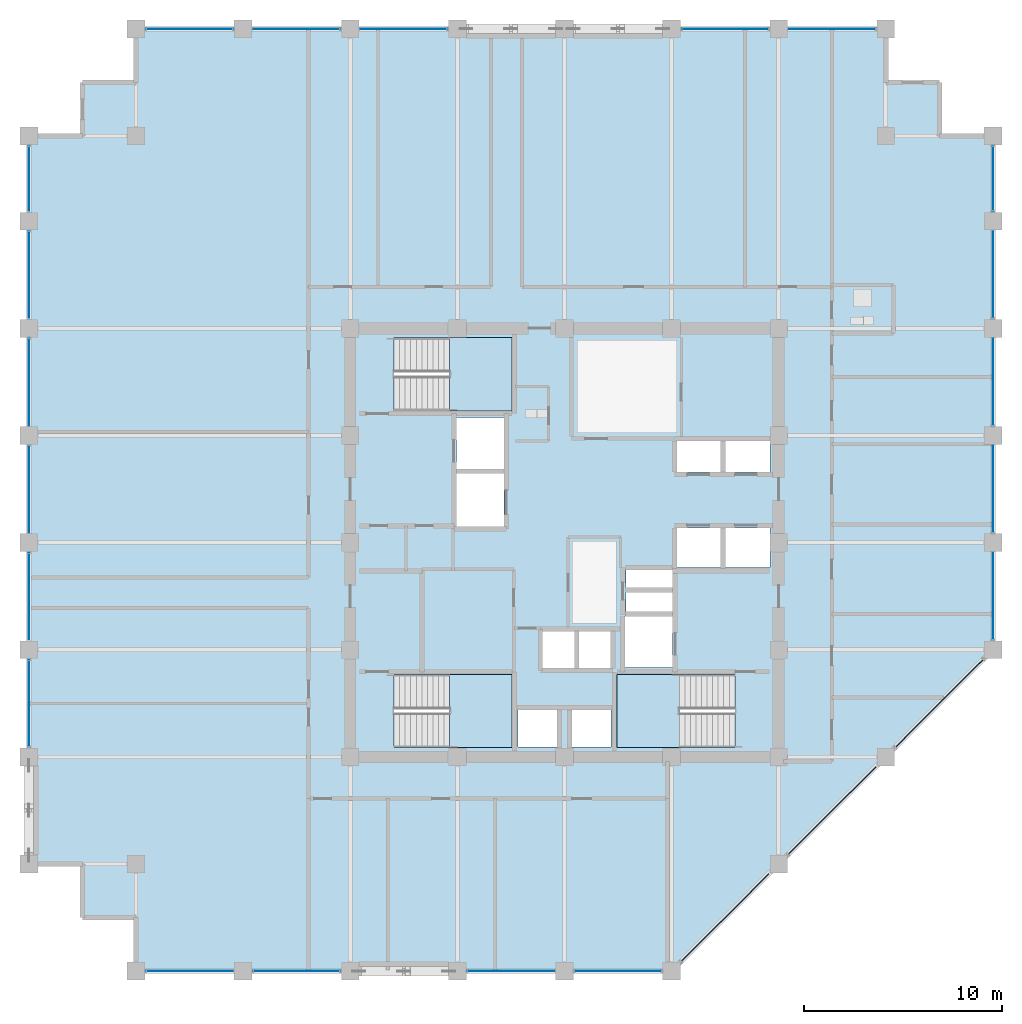
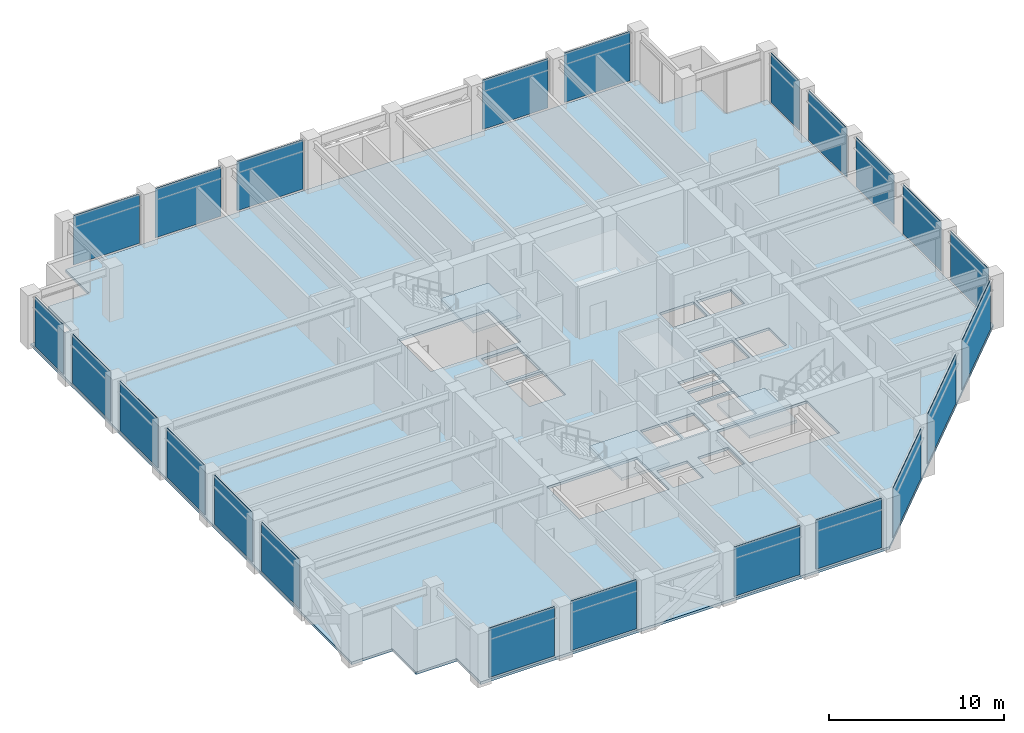
# One storey, part 26 of 32: 23 plates, 4 slabs, 10 elements without a shape of their own.
"""IFC4 building model written with IfcOpenShell, lengths in metres."""

import ifcopenshell
import ifcopenshell.guid

model = None  # the IFC model being written
_history = None  # IfcOwnerHistory: only IFC2X3 demands one
_inside = {}  # id of a spatial element -> (the spatial element, [elements in it])
_under = {}  # id of a project, library or spatial element -> (it, [spatial elements below it])
_declared = {}  # id of a project -> (the project, [libraries it declares])
_typed = {}  # id of a type object -> (the type object, [elements of that type])
_made_of = {}  # id of a material, layer set ... -> (it, [elements and type objects made of it])


def new_model(schema):
    """Start an empty IFC model of exactly this schema.

    Asked for "IFC4X3", IfcOpenShell would pick the latest addendum, in which some entities
    have other attributes; the version numbers below select the first issue.
    IFC2X3 requires an IfcOwnerHistory on every rooted entity: one is made here for all.
    """
    global model, _history
    if schema == "IFC4X3":
        model = ifcopenshell.file(schema_version=(4, 3, 0, 0))
    else:
        model = ifcopenshell.file(schema=schema)
    _inside.clear()
    _under.clear()
    _declared.clear()
    _typed.clear()
    _made_of.clear()
    _history = None
    if model.schema == "IFC2X3":
        org = make("IfcOrganization", Name="unknown")
        user = make(
            "IfcPersonAndOrganization",
            ThePerson=make("IfcPerson", FamilyName="unknown"),
            TheOrganization=org,
        )
        app = make(
            "IfcApplication",
            ApplicationDeveloper=org,
            Version="unknown",
            ApplicationFullName="unknown",
            ApplicationIdentifier="unknown",
        )
        _history = make(
            "IfcOwnerHistory",
            OwningUser=user,
            OwningApplication=app,
            ChangeAction="ADDED",
            CreationDate=0,
        )
    return model


def make(cls, **values):
    """One entity of the class cls with the attributes given. An attribute that is None is left unset."""
    return model.create_entity(
        cls, **{name: value for name, value in values.items() if value is not None}
    )


def rooted(cls, **values):
    """An entity with a GlobalId (a new one), such as an element, a storey or a relation."""
    return make(cls, GlobalId=ifcopenshell.guid.new(), OwnerHistory=_history, **values)


def si_unit(unit_type, name, prefix=None):
    """IfcSIUnit, for example si_unit("LENGTHUNIT", "METRE", prefix="MILLI")."""
    return make("IfcSIUnit", UnitType=unit_type, Prefix=prefix, Name=name)


def assignment(units):
    """IfcUnitAssignment: the units of a project."""
    return None if units is None else make("IfcUnitAssignment", Units=units)


def point(xyz):
    """IfcCartesianPoint."""
    return None if xyz is None else make("IfcCartesianPoint", Coordinates=xyz)


def direction(xyz):
    """IfcDirection."""
    return None if xyz is None else make("IfcDirection", DirectionRatios=xyz)


def frame(location, z_axis=None, x_axis=None):
    """IfcAxis2Placement3D, a coordinate frame: its origin and axes. An axis left out is left unset."""
    return make(
        "IfcAxis2Placement3D",
        Location=point(location),
        Axis=direction(z_axis),
        RefDirection=direction(x_axis),
    )


def frame_2d(location, x_axis=None):
    """IfcAxis2Placement2D, a coordinate frame in the plane: its origin and x axis."""
    return make(
        "IfcAxis2Placement2D", Location=point(location), RefDirection=direction(x_axis)
    )


def origin():
    """The frame at (0, 0, 0) with its axes left unset."""
    return frame((0.0, 0.0, 0.0))


def place(relative_to, where):
    """IfcLocalPlacement: puts the frame where relative to a parent placement (None: the world)."""
    return make(
        "IfcLocalPlacement", PlacementRelTo=relative_to, RelativePlacement=where
    )


def context(
    kind, dimensions, precision=None, world=None, true_north=None, identifier=None
):
    """IfcGeometricRepresentationContext, for example the 3D "Model" context."""
    return make(
        "IfcGeometricRepresentationContext",
        ContextIdentifier=identifier,
        ContextType=kind,
        CoordinateSpaceDimension=dimensions,
        Precision=precision,
        WorldCoordinateSystem=world,
        TrueNorth=true_north,
    )


def subcontext(parent, identifier, kind, view, scale=None):
    """IfcGeometricRepresentationSubContext, for example "Body" below "Model"."""
    return make(
        "IfcGeometricRepresentationSubContext",
        ContextIdentifier=identifier,
        ContextType=kind,
        ParentContext=parent,
        TargetScale=scale,
        TargetView=view,
    )


def project(units=None, contexts=None):
    """IfcProject with its units and contexts."""
    return rooted(
        "IfcProject",
        Name="project",
        RepresentationContexts=contexts,
        UnitsInContext=assignment(units),
    )


def spatial(cls, under=None, at=None, **own):
    """A site, building, storey or space (cls), placed at a placement, below another one or the project."""
    s = rooted(cls, ObjectPlacement=at, **own)
    if under is not None:
        _under.setdefault(under.id(), (under, []))[1].append(s)
    return s


def polyline(points):
    """IfcPolyline through the points."""
    return make("IfcPolyline", Points=[point(p) for p in points])


def profile(cls, at=None, kind="AREA", **sizes):
    """A parametric profile (cls). Its sizes go by their IFC names, for example OverallWidth=200.0."""
    return make(cls, ProfileType=kind, Position=at, **sizes)


def rectangle(**sizes):
    """IfcRectangleProfileDef."""
    return profile("IfcRectangleProfileDef", **sizes)


def outline(outer, holes=None, kind="AREA"):
    """IfcArbitraryClosedProfileDef: a profile drawn as a closed curve; with holes, ...WithVoids."""
    if holes is None:
        return make("IfcArbitraryClosedProfileDef", ProfileType=kind, OuterCurve=outer)
    return make(
        "IfcArbitraryProfileDefWithVoids",
        ProfileType=kind,
        OuterCurve=outer,
        InnerCurves=holes,
    )


def extrude(swept, where, along, depth):
    """IfcExtrudedAreaSolid: the profile swept, set in the frame where, extruded along a direction by depth."""
    return make(
        "IfcExtrudedAreaSolid",
        SweptArea=swept,
        Position=where,
        ExtrudedDirection=direction(along),
        Depth=depth,
    )


def shape(context_of_items, identifier, shape_type, items):
    """IfcShapeRepresentation: the items that make up one representation, for example the "Body"."""
    return make(
        "IfcShapeRepresentation",
        ContextOfItems=context_of_items,
        RepresentationIdentifier=identifier,
        RepresentationType=shape_type,
        Items=items,
    )


def material(Name=None, Category=None):
    """IfcMaterial."""
    return make("IfcMaterial", Name=Name, Category=Category)


def layer(
    of_material, thickness, ventilated=None, Name=None, Category=None, Priority=None
):
    """IfcMaterialLayer: one layer of a wall or slab, of a material (None: an air gap)."""
    return make(
        "IfcMaterialLayer",
        Material=of_material,
        LayerThickness=thickness,
        IsVentilated=ventilated,
        Name=Name,
        Category=Category,
        Priority=Priority,
    )


def layer_set(layers, Name=None):
    """IfcMaterialLayerSet."""
    return make("IfcMaterialLayerSet", MaterialLayers=layers, LayerSetName=Name)


def made_of(thing, what):
    """Note that an element or type object is made of a material, layer set ...; save() writes the relation."""
    if what is not None:
        _made_of.setdefault(what.id(), (what, []))[1].append(thing)
    return thing


def type_object(cls, material=None, **own):
    """A type object (cls), such as IfcWallType, which elements share."""
    return made_of(rooted(cls, **own), material)


def element(
    cls,
    number,
    at=None,
    inside=None,
    cuts=None,
    type_object=None,
    material=None,
    context=None,
    identifier="Body",
    shape_type=None,
    held_by="IfcProductDefinitionShape",
    body=None,
    shapes=None,
    **own,
):
    """One element of the class cls, such as IfcWall. Its Tag is "e" and its number.

    at: its placement. inside: the storey or other place that contains it. cuts: it is an
    opening in that element (IfcRelVoidsElement). A single representation is given by context,
    identifier, shape_type and body (its items); several are given by shapes. held_by: the class
    of the entity that holds the representations. save() writes the other relations.
    """
    e = rooted(cls, Tag="e%d" % number, ObjectPlacement=at, **own)
    if body is not None:
        shapes = [shape(context, identifier, shape_type, body)]
    if shapes is not None:
        e.Representation = make(held_by, Representations=shapes)
    if inside is not None:
        _inside.setdefault(inside.id(), (inside, []))[1].append(e)
    if cuts is not None:
        rooted(
            "IfcRelVoidsElement", RelatingBuildingElement=cuts, RelatedOpeningElement=e
        )
    if type_object is not None:
        _typed.setdefault(type_object.id(), (type_object, []))[1].append(e)
    return made_of(e, material)


def aggregate(whole, parts):
    """IfcRelAggregates: a whole, such as a stair, and the parts it consists of."""
    return rooted("IfcRelAggregates", RelatingObject=whole, RelatedObjects=parts)


def save(model, path):
    """Write the relations noted so far, then the file.

    IfcRelAggregates (storeys below a building ...), IfcRelContainedInSpatialStructure (elements
    in a storey), IfcRelDefinesByType, IfcRelAssociatesMaterial and IfcRelDeclares: one each for
    every whole, place, type object, material and project.
    """
    for whole, parts in _under.values():
        aggregate(whole, parts)
    for where, things in _inside.values():
        rooted(
            "IfcRelContainedInSpatialStructure",
            RelatedElements=things,
            RelatingStructure=where,
        )
    for kind, things in _typed.values():
        rooted("IfcRelDefinesByType", RelatedObjects=things, RelatingType=kind)
    for what, things in _made_of.values():
        rooted("IfcRelAssociatesMaterial", RelatedObjects=things, RelatingMaterial=what)
    for by, libraries in _declared.values():
        rooted("IfcRelDeclares", RelatingContext=by, RelatedDefinitions=libraries)
    model.write(path)


model = new_model("IFC4")

# Units and contexts
model_context = context("Model", 3, precision=1e-05, world=origin(), true_north=direction((0.0, 1.0)))
body_context = subcontext(model_context, "Body", "Model", "MODEL_VIEW")
ifc_project = project(units=[si_unit("LENGTHUNIT", "METRE"), si_unit("AREAUNIT", "SQUARE_METRE"), si_unit("VOLUMEUNIT", "CUBIC_METRE"), si_unit("PLANEANGLEUNIT", "RADIAN"), si_unit("MASSUNIT", "GRAM", prefix="KILO")], contexts=[model_context])

# Site, building, storey
site_placement = place(None, origin())
site = spatial("IfcSite", under=ifc_project, at=site_placement, CompositionType="ELEMENT")
building_placement = place(site_placement, origin())
building = spatial("IfcBuilding", under=site, at=building_placement, Name="Surkhivell Harbour Commons", CompositionType="ELEMENT")
storey_placement = place(building_placement, frame((0.0, 0.0, 204.75)))
storey = spatial("IfcBuildingStorey", under=building, at=storey_placement, Name="L53", CompositionType="ELEMENT", Elevation=204.75)

# Curtain wall, plates
ifc_material_1 = material(Name="Anodised pale-metal aluminium and insulated glazing", Category="aluminium")
ifc_layer_1 = layer(ifc_material_1, 0.18994140625)
ifc_layer_set_1 = layer_set([ifc_layer_1], Name="Anodised pale-metal aluminium and insulated glazing")
curtain_wall_type = type_object("IfcCurtainWallType", Name="CW-SYS-Z3", PredefinedType="NOTDEFINED", material=ifc_layer_set_1)
curtain_wall_1_placement = place(storey_placement, origin())
curtain_wall_1 = element("IfcCurtainWall", 1, at=curtain_wall_1_placement, inside=storey, type_object=curtain_wall_type, Name="L53 Curtain Wall CW-L53-E00S1", PredefinedType="NOTDEFINED")
ifc_material_2 = material(Name="High-pressure typhoon laminated vision glass", Category="glass")
ifc_layer_2 = layer(ifc_material_2, 0.035888671875)
ifc_layer_set_2 = layer_set([ifc_layer_2], Name="High-pressure typhoon laminated vision glass")
plate_type = type_object("IfcPlateType", Name="CWP-GLZ-36", PredefinedType="CURTAIN_PANEL", material=ifc_layer_set_2)
plate_1_placement = place(storey_placement, frame((-21.072998046875, -21.60009765625, 0.1298828125), z_axis=(0.0, 0.0, 1.0), x_axis=(1.0, 0.0, 0.0)))
plate_1 = element("IfcPlate", 2, at=plate_1_placement, type_object=plate_type, Name="CW-Z3 panel 1.1", PredefinedType="CURTAIN_PANEL", context=body_context, shape_type="SweptSolid", body=[
    extrude(rectangle(XDim=4.345947265625, YDim=0.035888671875, at=frame_2d((2.1728515625, 0.0))), origin(), (0.0, 0.0, 1.0), 3.440185546875),
])
plate_2_placement = place(storey_placement, frame((-15.673095703125, -21.60009765625, 0.1298828125), z_axis=(0.0, 0.0, 1.0), x_axis=(1.0, 0.0, 0.0)))
plate_2 = element("IfcPlate", 3, at=plate_2_placement, type_object=plate_type, Name="CW-Z3 panel 2.1", PredefinedType="CURTAIN_PANEL", context=body_context, shape_type="SweptSolid", body=[
    extrude(rectangle(XDim=4.34619140625, YDim=0.035888671875, at=frame_2d((2.173095703125, 0.0))), origin(), (0.0, 0.0, 1.0), 3.440185546875),
])
aggregate(curtain_wall_1, [plate_1, plate_2])

curtain_wall_2_placement = place(storey_placement, origin())
curtain_wall_2 = element("IfcCurtainWall", 4, at=curtain_wall_2_placement, inside=storey, type_object=curtain_wall_type, Name="L53 Curtain Wall CW-L53-E00S2", PredefinedType="NOTDEFINED")
plate_3_placement = place(storey_placement, frame((-4.873046875, -21.60009765625, 0.1298828125), z_axis=(0.0, 0.0, 1.0), x_axis=(1.0, 0.0, 0.0)))
plate_3 = element("IfcPlate", 5, at=plate_3_placement, type_object=plate_type, Name="CW-Z3 panel 1.1", PredefinedType="CURTAIN_PANEL", context=body_context, shape_type="SweptSolid", body=[
    extrude(rectangle(XDim=4.345947265625, YDim=0.035888671875, at=frame_2d((2.1728515625, 0.0))), origin(), (0.0, 0.0, 1.0), 3.440185546875),
])
plate_4_placement = place(storey_placement, frame((0.527099609375, -21.60009765625, 0.1298828125), z_axis=(0.0, 0.0, 1.0), x_axis=(1.0, 0.0, 0.0)))
plate_4 = element("IfcPlate", 6, at=plate_4_placement, type_object=plate_type, Name="CW-Z3 panel 2.1", PredefinedType="CURTAIN_PANEL", context=body_context, shape_type="SweptSolid", body=[
    extrude(rectangle(XDim=4.345947265625, YDim=0.035888671875, at=frame_2d((2.1728515625, 0.0))), origin(), (0.0, 0.0, 1.0), 3.440185546875),
])
aggregate(curtain_wall_2, [plate_3, plate_4])

curtain_wall_3_placement = place(storey_placement, origin())
curtain_wall_3 = element("IfcCurtainWall", 7, at=curtain_wall_3_placement, inside=storey, type_object=curtain_wall_type, Name="L53 Curtain Wall CW-L53-E01", PredefinedType="NOTDEFINED")
plate_5_placement = place(storey_placement, frame((5.90478515625, -21.09521484375, 0.1298828125), z_axis=(0.0, 0.0, 1.0), x_axis=(0.707106781187, 0.707106781187, 0.0)))
plate_5 = element("IfcPlate", 8, at=plate_5_placement, type_object=plate_type, Name="CW-Z3 panel 1.1", PredefinedType="CURTAIN_PANEL", context=body_context, shape_type="SweptSolid", body=[
    extrude(rectangle(XDim=6.209228515625, YDim=0.035888671875, at=frame_2d((3.1044921875, 0.0))), origin(), (0.0, 0.0, 1.0), 3.440185546875),
])
plate_6_placement = place(storey_placement, frame((11.3046875, -15.6953125, 0.1298828125), z_axis=(0.0, 0.0, 1.0), x_axis=(0.707106781187, 0.707106781187, 0.0)))
plate_6 = element("IfcPlate", 9, at=plate_6_placement, type_object=plate_type, Name="CW-Z3 panel 2.1", PredefinedType="CURTAIN_PANEL", context=body_context, shape_type="SweptSolid", body=[
    extrude(rectangle(XDim=6.209228515625, YDim=0.035888671875, at=frame_2d((3.1044921875, 0.0))), origin(), (0.0, 0.0, 1.0), 3.440185546875),
])
plate_7_placement = place(storey_placement, frame((16.70458984375, -10.29541015625, 0.1298828125), z_axis=(0.0, 0.0, 1.0), x_axis=(0.707106781187, 0.707106781187, 0.0)))
plate_7 = element("IfcPlate", 10, at=plate_7_placement, type_object=plate_type, Name="CW-Z3 panel 3.1", PredefinedType="CURTAIN_PANEL", context=body_context, shape_type="SweptSolid", body=[
    extrude(rectangle(XDim=6.209228515625, YDim=0.035888671875, at=frame_2d((3.1044921875, 0.0))), origin(), (0.0, 0.0, 1.0), 3.440185546875),
])
aggregate(curtain_wall_3, [plate_5, plate_6, plate_7])

curtain_wall_4_placement = place(storey_placement, origin())
curtain_wall_4 = element("IfcCurtainWall", 11, at=curtain_wall_4_placement, inside=storey, type_object=curtain_wall_type, Name="L53 Curtain Wall CW-L53-E02", PredefinedType="NOTDEFINED")
plate_8_placement = place(storey_placement, frame((21.60009765625, -4.873046875, 0.1298828125), z_axis=(0.0, 0.0, 1.0), x_axis=(0.0, 1.0, 0.0)))
plate_8 = element("IfcPlate", 12, at=plate_8_placement, type_object=plate_type, Name="CW-Z3 panel 1.1", PredefinedType="CURTAIN_PANEL", context=body_context, shape_type="SweptSolid", body=[
    extrude(rectangle(XDim=4.345947265625, YDim=0.035888671875, at=frame_2d((2.1728515625, 0.0))), origin(), (0.0, 0.0, 1.0), 3.440185546875),
])
plate_9_placement = place(storey_placement, frame((21.60009765625, 0.527099609375, 0.1298828125), z_axis=(0.0, 0.0, 1.0), x_axis=(0.0, 1.0, 0.0)))
plate_9 = element("IfcPlate", 13, at=plate_9_placement, type_object=plate_type, Name="CW-Z3 panel 2.1", PredefinedType="CURTAIN_PANEL", context=body_context, shape_type="SweptSolid", body=[
    extrude(rectangle(XDim=4.345947265625, YDim=0.035888671875, at=frame_2d((2.1728515625, 0.0))), origin(), (0.0, 0.0, 1.0), 3.440185546875),
])
plate_10_placement = place(storey_placement, frame((21.60009765625, 5.927001953125, 0.1298828125), z_axis=(0.0, 0.0, 1.0), x_axis=(0.0, 1.0, 0.0)))
plate_10 = element("IfcPlate", 14, at=plate_10_placement, type_object=plate_type, Name="CW-Z3 panel 3.1", PredefinedType="CURTAIN_PANEL", context=body_context, shape_type="SweptSolid", body=[
    extrude(rectangle(XDim=4.345947265625, YDim=0.035888671875, at=frame_2d((2.1728515625, 0.0))), origin(), (0.0, 0.0, 1.0), 3.440185546875),
])
plate_11_placement = place(storey_placement, frame((21.60009765625, 11.326904296875, 0.1298828125), z_axis=(0.0, 0.0, 1.0), x_axis=(0.0, 1.0, 0.0)))
plate_11 = element("IfcPlate", 15, at=plate_11_placement, type_object=plate_type, Name="CW-Z3 panel 4.1", PredefinedType="CURTAIN_PANEL", context=body_context, shape_type="SweptSolid", body=[
    extrude(rectangle(XDim=4.34619140625, YDim=0.035888671875, at=frame_2d((2.173095703125, 0.0))), origin(), (0.0, 0.0, 1.0), 3.440185546875),
])
plate_12_placement = place(storey_placement, frame((21.60009765625, 16.72705078125, 0.1298828125), z_axis=(0.0, 0.0, 1.0), x_axis=(0.0, 1.0, 0.0)))
plate_12 = element("IfcPlate", 16, at=plate_12_placement, type_object=plate_type, Name="CW-Z3 panel 5.1", PredefinedType="CURTAIN_PANEL", context=body_context, shape_type="SweptSolid", body=[
    extrude(rectangle(XDim=3.245849609375, YDim=0.035888671875, at=frame_2d((1.623046875, 0.0))), origin(), (0.0, 0.0, 1.0), 3.440185546875),
])
aggregate(curtain_wall_4, [plate_8, plate_9, plate_10, plate_11, plate_12])

curtain_wall_5_placement = place(storey_placement, origin())
curtain_wall_5 = element("IfcCurtainWall", 17, at=curtain_wall_5_placement, inside=storey, type_object=curtain_wall_type, Name="L53 Curtain Wall CW-L53-E07S1", PredefinedType="NOTDEFINED")
plate_13_placement = place(storey_placement, frame((15.673095703125, 25.89990234375, 0.1298828125), z_axis=(0.0, 0.0, 1.0), x_axis=(-1.0, 0.0, 0.0)))
plate_13 = element("IfcPlate", 18, at=plate_13_placement, type_object=plate_type, Name="CW-Z3 panel 1.1", PredefinedType="CURTAIN_PANEL", context=body_context, shape_type="SweptSolid", body=[
    extrude(rectangle(XDim=4.34619140625, YDim=0.035888671875, at=frame_2d((2.173095703125, 0.0))), origin(), (0.0, 0.0, 1.0), 3.440185546875),
])
plate_14_placement = place(storey_placement, frame((10.27294921875, 25.89990234375, 0.1298828125), z_axis=(0.0, 0.0, 1.0), x_axis=(-1.0, 0.0, 0.0)))
plate_14 = element("IfcPlate", 19, at=plate_14_placement, type_object=plate_type, Name="CW-Z3 panel 2.1", PredefinedType="CURTAIN_PANEL", context=body_context, shape_type="SweptSolid", body=[
    extrude(rectangle(XDim=4.345947265625, YDim=0.035888671875, at=frame_2d((2.1728515625, 0.0))), origin(), (0.0, 0.0, 1.0), 3.440185546875),
])
aggregate(curtain_wall_5, [plate_13, plate_14])

curtain_wall_6_placement = place(storey_placement, origin())
curtain_wall_6 = element("IfcCurtainWall", 20, at=curtain_wall_6_placement, inside=storey, type_object=curtain_wall_type, Name="L53 Curtain Wall CW-L53-E07S2", PredefinedType="NOTDEFINED")
plate_15_placement = place(storey_placement, frame((-5.927001953125, 25.89990234375, 0.1298828125), z_axis=(0.0, 0.0, 1.0), x_axis=(-1.0, 0.0, 0.0)))
plate_15 = element("IfcPlate", 21, at=plate_15_placement, type_object=plate_type, Name="CW-Z3 panel 1.1", PredefinedType="CURTAIN_PANEL", context=body_context, shape_type="SweptSolid", body=[
    extrude(rectangle(XDim=4.345947265625, YDim=0.035888671875, at=frame_2d((2.1728515625, 0.0))), origin(), (0.0, 0.0, 1.0), 3.440185546875),
])
plate_16_placement = place(storey_placement, frame((-11.326904296875, 25.89990234375, 0.1298828125), z_axis=(0.0, 0.0, 1.0), x_axis=(-1.0, 0.0, 0.0)))
plate_16 = element("IfcPlate", 22, at=plate_16_placement, type_object=plate_type, Name="CW-Z3 panel 2.1", PredefinedType="CURTAIN_PANEL", context=body_context, shape_type="SweptSolid", body=[
    extrude(rectangle(XDim=4.34619140625, YDim=0.035888671875, at=frame_2d((2.173095703125, 0.0))), origin(), (0.0, 0.0, 1.0), 3.440185546875),
])
plate_17_placement = place(storey_placement, frame((-16.72705078125, 25.89990234375, 0.1298828125), z_axis=(0.0, 0.0, 1.0), x_axis=(-1.0, 0.0, 0.0)))
plate_17 = element("IfcPlate", 23, at=plate_17_placement, type_object=plate_type, Name="CW-Z3 panel 3.1", PredefinedType="CURTAIN_PANEL", context=body_context, shape_type="SweptSolid", body=[
    extrude(rectangle(XDim=4.345947265625, YDim=0.035888671875, at=frame_2d((2.1728515625, 0.0))), origin(), (0.0, 0.0, 1.0), 3.440185546875),
])
aggregate(curtain_wall_6, [plate_15, plate_16, plate_17])

curtain_wall_7_placement = place(storey_placement, origin())
curtain_wall_7 = element("IfcCurtainWall", 24, at=curtain_wall_7_placement, inside=storey, type_object=curtain_wall_type, Name="L53 Curtain Wall CW-L53-E12S1", PredefinedType="NOTDEFINED")
plate_18_placement = place(storey_placement, frame((-27.0, 19.972900390625, 0.1298828125), z_axis=(0.0, 0.0, 1.0), x_axis=(0.0, -1.0, 0.0)))
plate_18 = element("IfcPlate", 25, at=plate_18_placement, type_object=plate_type, Name="CW-Z3 panel 1.1", PredefinedType="CURTAIN_PANEL", context=body_context, shape_type="SweptSolid", body=[
    extrude(rectangle(XDim=3.245849609375, YDim=0.035888671875, at=frame_2d((1.623046875, 0.0))), origin(), (0.0, 0.0, 1.0), 3.440185546875),
])
plate_19_placement = place(storey_placement, frame((-27.0, 15.673095703125, 0.1298828125), z_axis=(0.0, 0.0, 1.0), x_axis=(0.0, -1.0, 0.0)))
plate_19 = element("IfcPlate", 26, at=plate_19_placement, type_object=plate_type, Name="CW-Z3 panel 2.1", PredefinedType="CURTAIN_PANEL", context=body_context, shape_type="SweptSolid", body=[
    extrude(rectangle(XDim=4.34619140625, YDim=0.035888671875, at=frame_2d((2.173095703125, 0.0))), origin(), (0.0, 0.0, 1.0), 3.440185546875),
])
plate_20_placement = place(storey_placement, frame((-27.0, 10.27294921875, 0.1298828125), z_axis=(0.0, 0.0, 1.0), x_axis=(0.0, -1.0, 0.0)))
plate_20 = element("IfcPlate", 27, at=plate_20_placement, type_object=plate_type, Name="CW-Z3 panel 3.1", PredefinedType="CURTAIN_PANEL", context=body_context, shape_type="SweptSolid", body=[
    extrude(rectangle(XDim=4.345947265625, YDim=0.035888671875, at=frame_2d((2.1728515625, 0.0))), origin(), (0.0, 0.0, 1.0), 3.440185546875),
])
plate_21_placement = place(storey_placement, frame((-27.0, 4.873046875, 0.1298828125), z_axis=(0.0, 0.0, 1.0), x_axis=(0.0, -1.0, 0.0)))
plate_21 = element("IfcPlate", 28, at=plate_21_placement, type_object=plate_type, Name="CW-Z3 panel 4.1", PredefinedType="CURTAIN_PANEL", context=body_context, shape_type="SweptSolid", body=[
    extrude(rectangle(XDim=4.345947265625, YDim=0.035888671875, at=frame_2d((2.1728515625, 0.0))), origin(), (0.0, 0.0, 1.0), 3.440185546875),
])
plate_22_placement = place(storey_placement, frame((-27.0, -0.527099609375, 0.1298828125), z_axis=(0.0, 0.0, 1.0), x_axis=(0.0, -1.0, 0.0)))
plate_22 = element("IfcPlate", 29, at=plate_22_placement, type_object=plate_type, Name="CW-Z3 panel 5.1", PredefinedType="CURTAIN_PANEL", context=body_context, shape_type="SweptSolid", body=[
    extrude(rectangle(XDim=4.345947265625, YDim=0.035888671875, at=frame_2d((2.1728515625, 0.0))), origin(), (0.0, 0.0, 1.0), 3.440185546875),
])
plate_23_placement = place(storey_placement, frame((-27.0, -5.927001953125, 0.1298828125), z_axis=(0.0, 0.0, 1.0), x_axis=(0.0, -1.0, 0.0)))
plate_23 = element("IfcPlate", 30, at=plate_23_placement, type_object=plate_type, Name="CW-Z3 panel 6.1", PredefinedType="CURTAIN_PANEL", context=body_context, shape_type="SweptSolid", body=[
    extrude(rectangle(XDim=4.345947265625, YDim=0.035888671875, at=frame_2d((2.1728515625, 0.0))), origin(), (0.0, 0.0, 1.0), 3.440185546875),
])
aggregate(curtain_wall_7, [plate_18, plate_19, plate_20, plate_21, plate_22, plate_23])

# Stair, slab
ifc_material_3 = material(Name="Precast concrete C45/55", Category="concrete")
stair_type = type_object("IfcStairType", Name="STR-DL-375", PredefinedType="HALF_TURN_STAIR", material=ifc_material_3)
stair_1_placement = place(storey_placement, origin())
stair_1 = element("IfcStair", 31, at=stair_1_placement, inside=storey, type_object=stair_type, Name="L53 Core Exit Stair ST1", PredefinedType="HALF_TURN_STAIR")
ifc_material_4 = material(Name="Reinforced concrete C45/55", Category="concrete")
ifc_layer_3 = layer(ifc_material_4, 0.199951171875)
ifc_layer_set_3 = layer_set([ifc_layer_3], Name="Reinforced concrete C45/55")
slab_type_1 = type_object("IfcSlabType", Name="SLB-ST-LND200", PredefinedType="LANDING", material=ifc_layer_set_3)
slab_1_placement = place(storey_placement, frame((0.0, 0.0, 1.675048828125)))
slab_1 = element("IfcSlab", 32, at=slab_1_placement, type_object=slab_type_1, Name="ST1 landing 1", PredefinedType="LANDING", context=body_context, shape_type="SweptSolid", body=[
    extrude(outline(polyline([(-5.7900390625, 6.639892578125), (-2.639892578125, 6.639892578125), (-2.639892578125, 10.340087890625), (-5.7900390625, 10.340087890625), (-5.7900390625, 6.639892578125)])), origin(), (0.0, 0.0, 1.0), 0.199951171875),
])
aggregate(stair_1, [slab_1])

stair_2_placement = place(storey_placement, origin())
stair_2 = element("IfcStair", 33, at=stair_2_placement, inside=storey, type_object=stair_type, Name="L53 Core Exit Stair ST2", PredefinedType="HALF_TURN_STAIR")
slab_2_placement = place(storey_placement, frame((0.0, 0.0, 1.675048828125)))
slab_2 = element("IfcSlab", 34, at=slab_2_placement, type_object=slab_type_1, Name="ST2 landing 1", PredefinedType="LANDING", context=body_context, shape_type="SweptSolid", body=[
    extrude(outline(polyline([(5.7900390625, -6.639892578125), (2.639892578125, -6.639892578125), (2.639892578125, -10.340087890625), (5.7900390625, -10.340087890625), (5.7900390625, -6.639892578125)])), origin(), (0.0, 0.0, 1.0), 0.199951171875),
])
aggregate(stair_2, [slab_2])

stair_3_placement = place(storey_placement, origin())
stair_3 = element("IfcStair", 35, at=stair_3_placement, inside=storey, type_object=stair_type, Name="L53 Core Exit Stair ST3", PredefinedType="HALF_TURN_STAIR")
slab_3_placement = place(storey_placement, frame((0.0, 0.0, 1.675048828125)))
slab_3 = element("IfcSlab", 36, at=slab_3_placement, type_object=slab_type_1, Name="ST3 landing 1", PredefinedType="LANDING", context=body_context, shape_type="SweptSolid", body=[
    extrude(outline(polyline([(-5.7900390625, -10.340087890625), (-2.639892578125, -10.340087890625), (-2.639892578125, -6.639892578125), (-5.7900390625, -6.639892578125), (-5.7900390625, -10.340087890625)])), origin(), (0.0, 0.0, 1.0), 0.199951171875),
])
aggregate(stair_3, [slab_3])

# Slab
ifc_material_5 = material(Name="Concrete C45/55", Category="concrete")
ifc_layer_4 = layer(ifc_material_5, 0.179931640625)
ifc_layer_set_4 = layer_set([ifc_layer_4], Name="Concrete C45/55")
slab_type_2 = type_object("IfcSlabType", Name="SLB-TYP-180", PredefinedType="FLOOR", material=ifc_layer_set_4)
slab_4_placement = place(storey_placement, frame((0.0, 0.0, -0.179931640625)))
element("IfcSlab", 37, at=slab_4_placement, inside=storey, type_object=slab_type_2, Name="L53 Structural Floor Slab", PredefinedType="FLOOR", context=body_context, shape_type="SweptSolid", body=[
    extrude(outline(polyline([(-21.60009765625, -21.60009765625), (5.39990234375, -21.60009765625), (21.60009765625, -5.39990234375), (21.60009765625, 20.5), (18.89990234375, 20.5), (18.89990234375, 23.199951171875), (16.199951171875, 23.199951171875), (16.199951171875, 25.89990234375), (-21.60009765625, 25.89990234375), (-21.60009765625, 23.199951171875), (-24.300048828125, 23.199951171875), (-24.300048828125, 20.5), (-27.0, 20.5), (-27.0, -16.199951171875), (-24.300048828125, -16.199951171875), (-24.300048828125, -18.89990234375), (-21.60009765625, -18.89990234375), (-21.60009765625, -21.60009765625)]), holes=[polyline([(-8.590087890625, 6.639892578125), (-2.639892578125, 6.639892578125), (-2.639892578125, 10.340087890625), (-8.590087890625, 10.340087890625), (-8.590087890625, 6.639892578125)]), polyline([(8.590087890625, -6.639892578125), (2.639892578125, -6.639892578125), (2.639892578125, -10.340087890625), (8.590087890625, -10.340087890625), (8.590087890625, -6.639892578125)]), polyline([(-8.590087890625, -10.340087890625), (-2.639892578125, -10.340087890625), (-2.639892578125, -6.639892578125), (-8.590087890625, -6.639892578125), (-8.590087890625, -10.340087890625)]), polyline([(5.64990234375, 3.550048828125), (7.89990234375, 3.550048828125), (7.89990234375, 5.14990234375), (5.64990234375, 5.14990234375), (5.64990234375, 3.550048828125)]), polyline([(8.10009765625, 3.550048828125), (10.35009765625, 3.550048828125), (10.35009765625, 5.14990234375), (8.10009765625, 5.14990234375), (8.10009765625, 3.550048828125)]), polyline([(5.64990234375, -1.25), (7.89990234375, -1.25), (7.89990234375, 0.75), (5.64990234375, 0.75), (5.64990234375, -1.25)]), polyline([(8.10009765625, -1.25), (10.35009765625, -1.25), (10.35009765625, 0.75), (8.10009765625, 0.75), (8.10009765625, -1.25)]), polyline([(-1.14990234375, -6.35009765625), (0.550048828125, -6.35009765625), (0.550048828125, -4.449951171875), (-1.14990234375, -4.449951171875), (-1.14990234375, -6.35009765625)]), polyline([(0.679931640625, -6.35009765625), (2.3798828125, -6.35009765625), (2.3798828125, -4.449951171875), (0.679931640625, -4.449951171875), (0.679931640625, -6.35009765625)]), polyline([(-2.35009765625, -10.300048828125), (-0.35009765625, -10.300048828125), (-0.35009765625, -8.39990234375), (-2.35009765625, -8.39990234375), (-2.35009765625, -10.300048828125)]), polyline([(0.35009765625, -10.300048828125), (2.35009765625, -10.300048828125), (2.35009765625, -8.39990234375), (0.35009765625, -8.39990234375), (0.35009765625, -10.300048828125)]), polyline([(-5.449951171875, 3.699951171875), (-3.050048828125, 3.699951171875), (-3.050048828125, 6.300048828125), (-5.449951171875, 6.300048828125), (-5.449951171875, 3.699951171875)]), polyline([(3.050048828125, -6.300048828125), (5.449951171875, -6.300048828125), (5.449951171875, -3.699951171875), (3.050048828125, -3.699951171875), (3.050048828125, -6.300048828125)]), polyline([(-5.449951171875, 0.800048828125), (-3.050048828125, 0.800048828125), (-3.050048828125, 3.5), (-5.449951171875, 3.5), (-5.449951171875, 0.800048828125)]), polyline([(3.10009765625, -3.550048828125), (5.449951171875, -3.550048828125), (5.449951171875, -2.47998046875), (3.10009765625, -2.47998046875), (3.10009765625, -3.550048828125)]), polyline([(3.10009765625, -2.280029296875), (5.449951171875, -2.280029296875), (5.449951171875, -1.35009765625), (3.10009765625, -1.35009765625), (3.10009765625, -2.280029296875)])]), origin(), (0.0, 0.0, 1.0), 0.179931640625),
])

save(model, "model.ifc")
